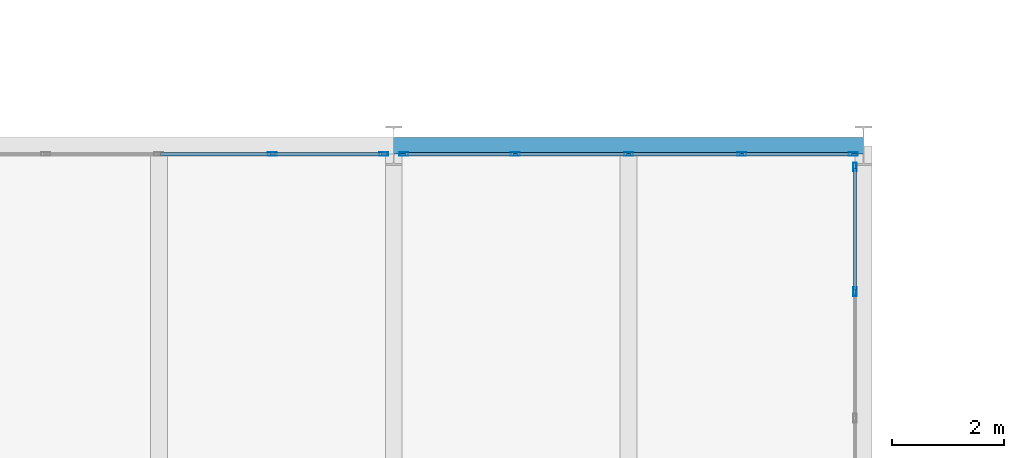
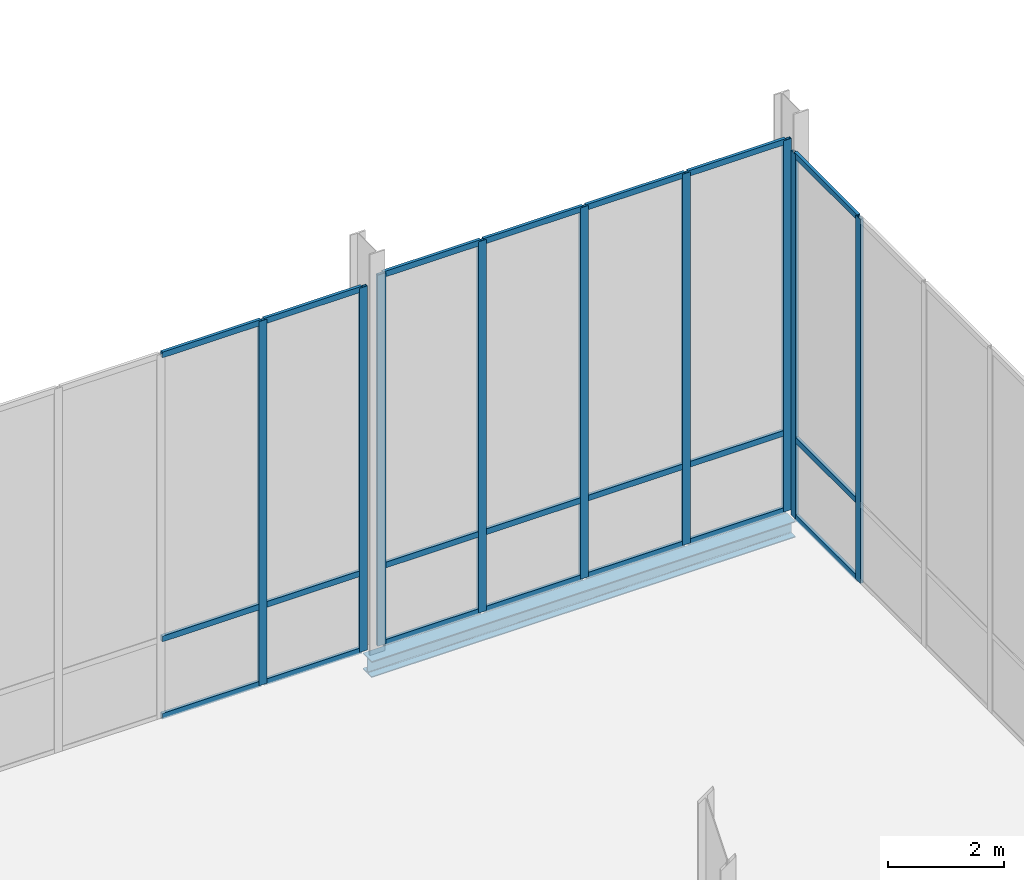
# One storey, part 74 of 131: 30 members, 1 beam, 3 elements without a shape of their own.
"""IFC4 building model written with IfcOpenShell, lengths in metres."""

from ifc_helpers import new_model, si_unit, direction, frame, origin, origin_2d, place, context, subcontext, project, spatial, hollow_rectangle, i_section, extrude, material, material_profile, profile_set, type_object, element, aggregate, save


model = new_model("IFC4")

# Units and contexts
model_context = context("Model", 3, precision=1e-05, world=origin(), true_north=direction((0.0, 1.0)))
body_context = subcontext(model_context, "Body", "Model", "MODEL_VIEW")
ifc_project = project(units=[si_unit("LENGTHUNIT", "METRE"), si_unit("AREAUNIT", "SQUARE_METRE"), si_unit("VOLUMEUNIT", "CUBIC_METRE"), si_unit("PLANEANGLEUNIT", "RADIAN"), si_unit("MASSUNIT", "GRAM", prefix="KILO")], contexts=[model_context])

# Site, building, storey
site_placement = place(None, origin())
site = spatial("IfcSite", under=ifc_project, at=site_placement, CompositionType="ELEMENT")
building_placement = place(site_placement, origin())
building = spatial("IfcBuilding", under=site, at=building_placement, Name="Veltarok Museum of Natural Sciences", CompositionType="ELEMENT")
storey_placement = place(building_placement, origin())
storey = spatial("IfcBuildingStorey", under=building, at=storey_placement, Name="L00", CompositionType="ELEMENT", Elevation=0.0)

# Curtain wall, members
ifc_material_1 = material(Name="Low-iron triple insulated glass", Category="glass")
curtain_wall_type_1 = type_object("IfcCurtainWallType", Name="Curtain Wall System CW-V2E-L00-3-1130x763 (CW-V2E L00 1130x763cm)", PredefinedType="NOTDEFINED", material=ifc_material_1)
curtain_wall_1_placement = place(storey_placement, origin())
curtain_wall_1 = element("IfcCurtainWall", 1, at=curtain_wall_1_placement, inside=storey, type_object=curtain_wall_type_1, Name="Curtain Wall CW-V2E-L00-3-1130x763 CW-0127", PredefinedType="NOTDEFINED")
ifc_material_2 = material(Name="Thermally broken anodised aluminium", Category="aluminium")
ifc_material_profile_1 = material_profile(ifc_material_2, hollow_rectangle(XDim=0.06005859375, YDim=0.1201171875, WallThickness=0.0048828125, at=origin_2d()), Name="CW TRANSOM 60x120x5")
ifc_profile_set_1 = profile_set([ifc_material_profile_1], Name="Thermally broken anodised aluminium")
member_type_1 = type_object("IfcMemberType", Name="Curtain Wall Horizontal Transom 60x120x5", PredefinedType="USERDEFINED", material=ifc_profile_set_1)
member_1_placement = place(storey_placement, frame((98.64990234375, 69.419921875, 0.028076171875), z_axis=(0.0, 1.0, 0.0), x_axis=(-1.0, 0.0, 0.0)))
member_1 = element("IfcMember", 2, at=member_1_placement, type_object=member_type_1, Name="CW-V2E-L00-3-1130x763 transom 5.1", ObjectType="TRANSOM", PredefinedType="USERDEFINED", context=body_context, shape_type="SweptSolid", body=[
    extrude(hollow_rectangle(XDim=0.06005859375, YDim=0.1201171875, WallThickness=0.0048828125, at=origin_2d()), origin(), (0.0, 0.0, 1.0), 2.170166015625),
])
member_2_placement = place(storey_placement, frame((98.64990234375, 69.419921875, 1.64794921875), z_axis=(0.0, 1.0, 0.0), x_axis=(-1.0, 0.0, 0.0)))
member_2 = element("IfcMember", 3, at=member_2_placement, type_object=member_type_1, Name="CW-V2E-L00-3-1130x763 transom 5.2", ObjectType="TRANSOM", PredefinedType="USERDEFINED", context=body_context, shape_type="SweptSolid", body=[
    extrude(hollow_rectangle(XDim=0.06005859375, YDim=0.1201171875, WallThickness=0.0048828125, at=origin_2d()), origin(), (0.0, 0.0, 1.0), 2.170166015625),
])
member_3_placement = place(storey_placement, frame((98.64990234375, 69.419921875, 7.60009765625), z_axis=(0.0, 1.0, 0.0), x_axis=(-1.0, 0.0, 0.0)))
member_3 = element("IfcMember", 4, at=member_3_placement, type_object=member_type_1, Name="CW-V2E-L00-3-1130x763 transom 5.3", ObjectType="TRANSOM", PredefinedType="USERDEFINED", context=body_context, shape_type="SweptSolid", body=[
    extrude(hollow_rectangle(XDim=0.06005859375, YDim=0.1201171875, WallThickness=0.0048828125, at=origin_2d()), origin(), (0.0, 0.0, 1.0), 2.170166015625),
])

curtain_wall_type_2 = type_object("IfcCurtainWallType", Name="Curtain Wall System CW-V2NH-L00-3-810x763 (CW-V2NH L00 810x763cm)", PredefinedType="NOTDEFINED", material=ifc_material_1)
curtain_wall_2_placement = place(storey_placement, origin())
curtain_wall_2 = element("IfcCurtainWall", 5, at=curtain_wall_2_placement, inside=storey, type_object=curtain_wall_type_2, Name="Curtain Wall CW-V2NH-L00-3-810x763 CW-0151", PredefinedType="NOTDEFINED")
member_4_placement = place(storey_placement, frame((90.18994140625, 71.85009765625, 0.028076171875), z_axis=(-1.0, 0.0, 0.0), x_axis=(0.0, -1.0, 0.0)))
member_4 = element("IfcMember", 6, at=member_4_placement, type_object=member_type_1, Name="CW-V2NH-L00-3-810x763 transom 1.1", ObjectType="TRANSOM", PredefinedType="USERDEFINED", context=body_context, shape_type="SweptSolid", body=[
    extrude(hollow_rectangle(XDim=0.06005859375, YDim=0.1201171875, WallThickness=0.0048828125, at=origin_2d()), origin(), (0.0, 0.0, 1.0), 1.93505859375),
])
member_5_placement = place(storey_placement, frame((90.18994140625, 71.85009765625, 1.64794921875), z_axis=(-1.0, 0.0, 0.0), x_axis=(0.0, -1.0, 0.0)))
member_5 = element("IfcMember", 7, at=member_5_placement, type_object=member_type_1, Name="CW-V2NH-L00-3-810x763 transom 1.2", ObjectType="TRANSOM", PredefinedType="USERDEFINED", context=body_context, shape_type="SweptSolid", body=[
    extrude(hollow_rectangle(XDim=0.06005859375, YDim=0.1201171875, WallThickness=0.0048828125, at=origin_2d()), origin(), (0.0, 0.0, 1.0), 1.93505859375),
])
member_6_placement = place(storey_placement, frame((90.18994140625, 71.85009765625, 7.60009765625), z_axis=(-1.0, 0.0, 0.0), x_axis=(0.0, -1.0, 0.0)))
member_6 = element("IfcMember", 8, at=member_6_placement, type_object=member_type_1, Name="CW-V2NH-L00-3-810x763 transom 1.3", ObjectType="TRANSOM", PredefinedType="USERDEFINED", context=body_context, shape_type="SweptSolid", body=[
    extrude(hollow_rectangle(XDim=0.06005859375, YDim=0.1201171875, WallThickness=0.0048828125, at=origin_2d()), origin(), (0.0, 0.0, 1.0), 1.93505859375),
])
member_7_placement = place(storey_placement, frame((88.195068359375, 71.85009765625, 0.028076171875), z_axis=(-1.0, 0.0, 0.0), x_axis=(0.0, -1.0, 0.0)))
member_7 = element("IfcMember", 9, at=member_7_placement, type_object=member_type_1, Name="CW-V2NH-L00-3-810x763 transom 2.1", ObjectType="TRANSOM", PredefinedType="USERDEFINED", context=body_context, shape_type="SweptSolid", body=[
    extrude(hollow_rectangle(XDim=0.06005859375, YDim=0.1201171875, WallThickness=0.0048828125, at=origin_2d()), origin(), (0.0, 0.0, 1.0), 1.965087890625),
])
member_8_placement = place(storey_placement, frame((88.195068359375, 71.85009765625, 1.64794921875), z_axis=(-1.0, 0.0, 0.0), x_axis=(0.0, -1.0, 0.0)))
member_8 = element("IfcMember", 10, at=member_8_placement, type_object=member_type_1, Name="CW-V2NH-L00-3-810x763 transom 2.2", ObjectType="TRANSOM", PredefinedType="USERDEFINED", context=body_context, shape_type="SweptSolid", body=[
    extrude(hollow_rectangle(XDim=0.06005859375, YDim=0.1201171875, WallThickness=0.0048828125, at=origin_2d()), origin(), (0.0, 0.0, 1.0), 1.965087890625),
])
member_9_placement = place(storey_placement, frame((88.195068359375, 71.85009765625, 7.60009765625), z_axis=(-1.0, 0.0, 0.0), x_axis=(0.0, -1.0, 0.0)))
member_9 = element("IfcMember", 11, at=member_9_placement, type_object=member_type_1, Name="CW-V2NH-L00-3-810x763 transom 2.3", ObjectType="TRANSOM", PredefinedType="USERDEFINED", context=body_context, shape_type="SweptSolid", body=[
    extrude(hollow_rectangle(XDim=0.06005859375, YDim=0.1201171875, WallThickness=0.0048828125, at=origin_2d()), origin(), (0.0, 0.0, 1.0), 1.965087890625),
])

curtain_wall_type_3 = type_object("IfcCurtainWallType", Name="Curtain Wall System CW-V2NH-L00-0-810x778 (CW-V2NH L00 810x778cm)", PredefinedType="NOTDEFINED", material=ifc_material_1)
curtain_wall_3_placement = place(storey_placement, origin())
curtain_wall_3 = element("IfcCurtainWall", 12, at=curtain_wall_3_placement, inside=storey, type_object=curtain_wall_type_3, Name="Curtain Wall CW-V2NH-L00-0-810x778 CW-0152", PredefinedType="NOTDEFINED")
member_10_placement = place(storey_placement, frame((98.590087890625, 71.85009765625, 0.028076171875), z_axis=(-1.0, 0.0, 0.0), x_axis=(0.0, -1.0, 0.0)))
member_10 = element("IfcMember", 13, at=member_10_placement, type_object=member_type_1, Name="CW-V2NH-L00-0-810x778 transom 1.1", ObjectType="TRANSOM", PredefinedType="USERDEFINED", context=body_context, shape_type="SweptSolid", body=[
    extrude(hollow_rectangle(XDim=0.06005859375, YDim=0.1201171875, WallThickness=0.0048828125, at=origin_2d()), origin(), (0.0, 0.0, 1.0), 1.93505859375),
])
member_11_placement = place(storey_placement, frame((98.590087890625, 71.85009765625, 1.64794921875), z_axis=(-1.0, 0.0, 0.0), x_axis=(0.0, -1.0, 0.0)))
member_11 = element("IfcMember", 14, at=member_11_placement, type_object=member_type_1, Name="CW-V2NH-L00-0-810x778 transom 1.2", ObjectType="TRANSOM", PredefinedType="USERDEFINED", context=body_context, shape_type="SweptSolid", body=[
    extrude(hollow_rectangle(XDim=0.06005859375, YDim=0.1201171875, WallThickness=0.0048828125, at=origin_2d()), origin(), (0.0, 0.0, 1.0), 1.93505859375),
])
member_12_placement = place(storey_placement, frame((98.590087890625, 71.85009765625, 7.75), z_axis=(-1.0, 0.0, 0.0), x_axis=(0.0, -1.0, 0.0)))
member_12 = element("IfcMember", 15, at=member_12_placement, type_object=member_type_1, Name="CW-V2NH-L00-0-810x778 transom 1.3", ObjectType="TRANSOM", PredefinedType="USERDEFINED", context=body_context, shape_type="SweptSolid", body=[
    extrude(hollow_rectangle(XDim=0.06005859375, YDim=0.1201171875, WallThickness=0.0048828125, at=origin_2d()), origin(), (0.0, 0.0, 1.0), 1.93505859375),
])
member_13_placement = place(storey_placement, frame((96.594970703125, 71.85009765625, 0.028076171875), z_axis=(-1.0, 0.0, 0.0), x_axis=(0.0, -1.0, 0.0)))
member_13 = element("IfcMember", 16, at=member_13_placement, type_object=member_type_1, Name="CW-V2NH-L00-0-810x778 transom 2.1", ObjectType="TRANSOM", PredefinedType="USERDEFINED", context=body_context, shape_type="SweptSolid", body=[
    extrude(hollow_rectangle(XDim=0.06005859375, YDim=0.1201171875, WallThickness=0.0048828125, at=origin_2d()), origin(), (0.0, 0.0, 1.0), 1.965087890625),
])
member_14_placement = place(storey_placement, frame((96.594970703125, 71.85009765625, 1.64794921875), z_axis=(-1.0, 0.0, 0.0), x_axis=(0.0, -1.0, 0.0)))
member_14 = element("IfcMember", 17, at=member_14_placement, type_object=member_type_1, Name="CW-V2NH-L00-0-810x778 transom 2.2", ObjectType="TRANSOM", PredefinedType="USERDEFINED", context=body_context, shape_type="SweptSolid", body=[
    extrude(hollow_rectangle(XDim=0.06005859375, YDim=0.1201171875, WallThickness=0.0048828125, at=origin_2d()), origin(), (0.0, 0.0, 1.0), 1.965087890625),
])
member_15_placement = place(storey_placement, frame((96.594970703125, 71.85009765625, 7.75), z_axis=(-1.0, 0.0, 0.0), x_axis=(0.0, -1.0, 0.0)))
member_15 = element("IfcMember", 18, at=member_15_placement, type_object=member_type_1, Name="CW-V2NH-L00-0-810x778 transom 2.3", ObjectType="TRANSOM", PredefinedType="USERDEFINED", context=body_context, shape_type="SweptSolid", body=[
    extrude(hollow_rectangle(XDim=0.06005859375, YDim=0.1201171875, WallThickness=0.0048828125, at=origin_2d()), origin(), (0.0, 0.0, 1.0), 1.965087890625),
])
member_16_placement = place(storey_placement, frame((94.570068359375, 71.85009765625, 0.028076171875), z_axis=(-1.0, 0.0, 0.0), x_axis=(0.0, -1.0, 0.0)))
member_16 = element("IfcMember", 19, at=member_16_placement, type_object=member_type_1, Name="CW-V2NH-L00-0-810x778 transom 3.1", ObjectType="TRANSOM", PredefinedType="USERDEFINED", context=body_context, shape_type="SweptSolid", body=[
    extrude(hollow_rectangle(XDim=0.06005859375, YDim=0.1201171875, WallThickness=0.0048828125, at=origin_2d()), origin(), (0.0, 0.0, 1.0), 1.965087890625),
])
member_17_placement = place(storey_placement, frame((94.570068359375, 71.85009765625, 1.64794921875), z_axis=(-1.0, 0.0, 0.0), x_axis=(0.0, -1.0, 0.0)))
member_17 = element("IfcMember", 20, at=member_17_placement, type_object=member_type_1, Name="CW-V2NH-L00-0-810x778 transom 3.2", ObjectType="TRANSOM", PredefinedType="USERDEFINED", context=body_context, shape_type="SweptSolid", body=[
    extrude(hollow_rectangle(XDim=0.06005859375, YDim=0.1201171875, WallThickness=0.0048828125, at=origin_2d()), origin(), (0.0, 0.0, 1.0), 1.965087890625),
])
member_18_placement = place(storey_placement, frame((94.570068359375, 71.85009765625, 7.75), z_axis=(-1.0, 0.0, 0.0), x_axis=(0.0, -1.0, 0.0)))
member_18 = element("IfcMember", 21, at=member_18_placement, type_object=member_type_1, Name="CW-V2NH-L00-0-810x778 transom 3.3", ObjectType="TRANSOM", PredefinedType="USERDEFINED", context=body_context, shape_type="SweptSolid", body=[
    extrude(hollow_rectangle(XDim=0.06005859375, YDim=0.1201171875, WallThickness=0.0048828125, at=origin_2d()), origin(), (0.0, 0.0, 1.0), 1.965087890625),
])
member_19_placement = place(storey_placement, frame((92.544921875, 71.85009765625, 0.028076171875), z_axis=(-1.0, 0.0, 0.0), x_axis=(0.0, -1.0, 0.0)))
member_19 = element("IfcMember", 22, at=member_19_placement, type_object=member_type_1, Name="CW-V2NH-L00-0-810x778 transom 4.1", ObjectType="TRANSOM", PredefinedType="USERDEFINED", context=body_context, shape_type="SweptSolid", body=[
    extrude(hollow_rectangle(XDim=0.06005859375, YDim=0.1201171875, WallThickness=0.0048828125, at=origin_2d()), origin(), (0.0, 0.0, 1.0), 1.934814453125),
])
member_20_placement = place(storey_placement, frame((92.544921875, 71.85009765625, 1.64794921875), z_axis=(-1.0, 0.0, 0.0), x_axis=(0.0, -1.0, 0.0)))
member_20 = element("IfcMember", 23, at=member_20_placement, type_object=member_type_1, Name="CW-V2NH-L00-0-810x778 transom 4.2", ObjectType="TRANSOM", PredefinedType="USERDEFINED", context=body_context, shape_type="SweptSolid", body=[
    extrude(hollow_rectangle(XDim=0.06005859375, YDim=0.1201171875, WallThickness=0.0048828125, at=origin_2d()), origin(), (0.0, 0.0, 1.0), 1.934814453125),
])
member_21_placement = place(storey_placement, frame((92.544921875, 71.85009765625, 7.75), z_axis=(-1.0, 0.0, 0.0), x_axis=(0.0, -1.0, 0.0)))
member_21 = element("IfcMember", 24, at=member_21_placement, type_object=member_type_1, Name="CW-V2NH-L00-0-810x778 transom 4.3", ObjectType="TRANSOM", PredefinedType="USERDEFINED", context=body_context, shape_type="SweptSolid", body=[
    extrude(hollow_rectangle(XDim=0.06005859375, YDim=0.1201171875, WallThickness=0.0048828125, at=origin_2d()), origin(), (0.0, 0.0, 1.0), 1.934814453125),
])

# Member
ifc_material_profile_2 = material_profile(ifc_material_2, hollow_rectangle(XDim=0.06005859375, YDim=0.159912109375, WallThickness=0.0048828125, at=origin_2d()), Name="CW MULLION 60x160x5")
ifc_profile_set_2 = profile_set([ifc_material_profile_2], Name="Thermally broken anodised aluminium")
member_type_2 = type_object("IfcMemberType", Name="Curtain Wall Vertical Mullion 60x160x5", PredefinedType="MULLION", material=ifc_profile_set_2)
member_22_placement = place(storey_placement, frame((98.64990234375, 69.389892578125, -0.001953125), z_axis=(0.0, 0.0, 1.0), x_axis=(-1.0, 0.0, 0.0)))
member_22 = element("IfcMember", 25, at=member_22_placement, type_object=member_type_2, Name="CW-V2E-L00-3-1130x763 mullion 5", PredefinedType="MULLION", context=body_context, shape_type="SweptSolid", body=[
    extrude(hollow_rectangle(XDim=0.06005859375, YDim=0.159912109375, WallThickness=0.0048828125, at=origin_2d()), origin(), (0.0, 0.0, 1.0), 7.6318359375),
])

member_23_placement = place(storey_placement, frame((98.64990234375, 71.6201171875, -0.001953125), z_axis=(0.0, 0.0, 1.0), x_axis=(-1.0, 0.0, 0.0)))
member_23 = element("IfcMember", 26, at=member_23_placement, type_object=member_type_2, Name="CW-V2E-L00-3-1130x763 mullion 6", PredefinedType="MULLION", context=body_context, shape_type="SweptSolid", body=[
    extrude(hollow_rectangle(XDim=0.06005859375, YDim=0.159912109375, WallThickness=0.0048828125, at=origin_2d()), origin(), (0.0, 0.0, 1.0), 7.6318359375),
])

aggregate(curtain_wall_1, [member_22, member_23, member_1, member_2, member_3])

member_24_placement = place(storey_placement, frame((90.219970703125, 71.85009765625, -0.001953125), z_axis=(0.0, 0.0, 1.0), x_axis=(0.0, -1.0, 0.0)))
member_24 = element("IfcMember", 27, at=member_24_placement, type_object=member_type_2, Name="CW-V2NH-L00-3-810x763 mullion 1", PredefinedType="MULLION", context=body_context, shape_type="SweptSolid", body=[
    extrude(hollow_rectangle(XDim=0.06005859375, YDim=0.159912109375, WallThickness=0.0048828125, at=origin_2d()), origin(), (0.0, 0.0, 1.0), 7.6318359375),
])

member_25_placement = place(storey_placement, frame((88.22509765625, 71.85009765625, -0.001953125), z_axis=(0.0, 0.0, 1.0), x_axis=(0.0, -1.0, 0.0)))
member_25 = element("IfcMember", 28, at=member_25_placement, type_object=member_type_2, Name="CW-V2NH-L00-3-810x763 mullion 2", PredefinedType="MULLION", context=body_context, shape_type="SweptSolid", body=[
    extrude(hollow_rectangle(XDim=0.06005859375, YDim=0.159912109375, WallThickness=0.0048828125, at=origin_2d()), origin(), (0.0, 0.0, 1.0), 7.6318359375),
])

aggregate(curtain_wall_2, [member_24, member_25, member_4, member_5, member_6, member_7, member_8, member_9])

member_26_placement = place(storey_placement, frame((98.6201171875, 71.85009765625, -0.001953125), z_axis=(0.0, 0.0, 1.0), x_axis=(0.0, -1.0, 0.0)))
member_26 = element("IfcMember", 29, at=member_26_placement, type_object=member_type_2, Name="CW-V2NH-L00-0-810x778 mullion 1", PredefinedType="MULLION", context=body_context, shape_type="SweptSolid", body=[
    extrude(hollow_rectangle(XDim=0.06005859375, YDim=0.159912109375, WallThickness=0.0048828125, at=origin_2d()), origin(), (0.0, 0.0, 1.0), 7.781982421875),
])

member_27_placement = place(storey_placement, frame((96.625, 71.85009765625, -0.001953125), z_axis=(0.0, 0.0, 1.0), x_axis=(0.0, -1.0, 0.0)))
member_27 = element("IfcMember", 30, at=member_27_placement, type_object=member_type_2, Name="CW-V2NH-L00-0-810x778 mullion 2", PredefinedType="MULLION", context=body_context, shape_type="SweptSolid", body=[
    extrude(hollow_rectangle(XDim=0.06005859375, YDim=0.159912109375, WallThickness=0.0048828125, at=origin_2d()), origin(), (0.0, 0.0, 1.0), 7.781982421875),
])

member_28_placement = place(storey_placement, frame((94.60009765625, 71.85009765625, -0.001953125), z_axis=(0.0, 0.0, 1.0), x_axis=(0.0, -1.0, 0.0)))
member_28 = element("IfcMember", 31, at=member_28_placement, type_object=member_type_2, Name="CW-V2NH-L00-0-810x778 mullion 3", PredefinedType="MULLION", context=body_context, shape_type="SweptSolid", body=[
    extrude(hollow_rectangle(XDim=0.06005859375, YDim=0.159912109375, WallThickness=0.0048828125, at=origin_2d()), origin(), (0.0, 0.0, 1.0), 7.781982421875),
])

member_29_placement = place(storey_placement, frame((92.574951171875, 71.85009765625, -0.001953125), z_axis=(0.0, 0.0, 1.0), x_axis=(0.0, -1.0, 0.0)))
member_29 = element("IfcMember", 32, at=member_29_placement, type_object=member_type_2, Name="CW-V2NH-L00-0-810x778 mullion 4", PredefinedType="MULLION", context=body_context, shape_type="SweptSolid", body=[
    extrude(hollow_rectangle(XDim=0.06005859375, YDim=0.159912109375, WallThickness=0.0048828125, at=origin_2d()), origin(), (0.0, 0.0, 1.0), 7.781982421875),
])

member_30_placement = place(storey_placement, frame((90.580078125, 71.85009765625, -0.001953125), z_axis=(0.0, 0.0, 1.0), x_axis=(0.0, -1.0, 0.0)))
member_30 = element("IfcMember", 33, at=member_30_placement, type_object=member_type_2, Name="CW-V2NH-L00-0-810x778 mullion 5", PredefinedType="MULLION", context=body_context, shape_type="SweptSolid", body=[
    extrude(hollow_rectangle(XDim=0.06005859375, YDim=0.159912109375, WallThickness=0.0048828125, at=origin_2d()), origin(), (0.0, 0.0, 1.0), 7.781982421875),
])

aggregate(curtain_wall_3, [member_26, member_27, member_28, member_29, member_30, member_10, member_11, member_12, member_13, member_14, member_15, member_16, member_17, member_18, member_19, member_20, member_21])

# Beam
ifc_material_3 = material(Name="Steel S355J2", Category="steel")
ifc_material_profile_3 = material_profile(ifc_material_3, i_section(OverallWidth=0.300048828125, OverallDepth=0.340087890625, WebThickness=0.011962890625, FlangeThickness=0.021484375, FilletRadius=0.027099609375, at=origin_2d()), Name="HEB 340")
ifc_profile_set_3 = profile_set([ifc_material_profile_3], Name="Steel S355J2")
beam_type = type_object("IfcBeamType", Name="Perimeter Bridge Spandrel HEB 340", PredefinedType="SPANDREL", material=ifc_profile_set_3)
beam_placement = place(storey_placement, frame((90.39990234375, 72.0, -0.469970703125), z_axis=(1.0, 0.0, 0.0), x_axis=(0.0, 1.0, 0.0)))
element("IfcBeam", 34, at=beam_placement, inside=storey, type_object=beam_type, Name="Beam BM-SP07 L00 11-12/H", PredefinedType="SPANDREL", context=body_context, shape_type="SweptSolid", body=[
    extrude(i_section(OverallWidth=0.300048828125, OverallDepth=0.340087890625, WebThickness=0.011962890625, FlangeThickness=0.021484375, FilletRadius=0.027099609375, at=origin_2d()), origin(), (0.0, 0.0, 1.0), 8.400146484375),
])

save(model, "model.ifc")
